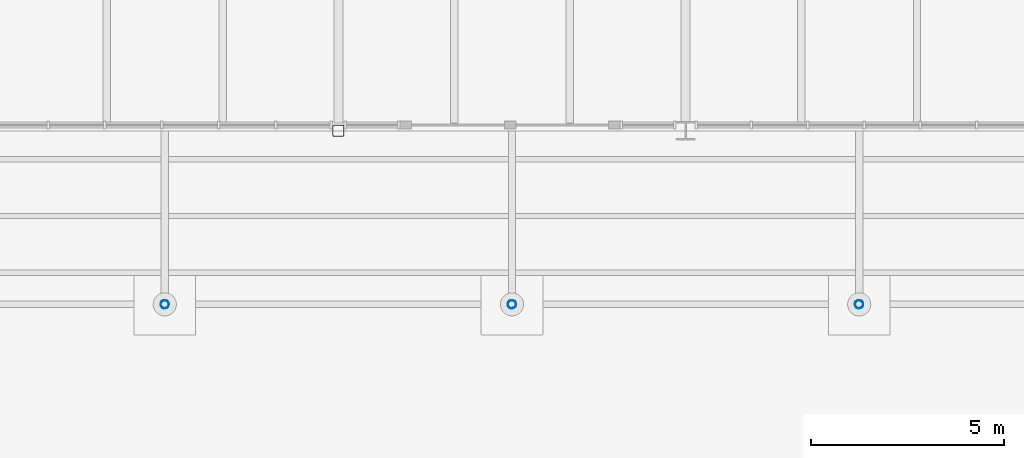
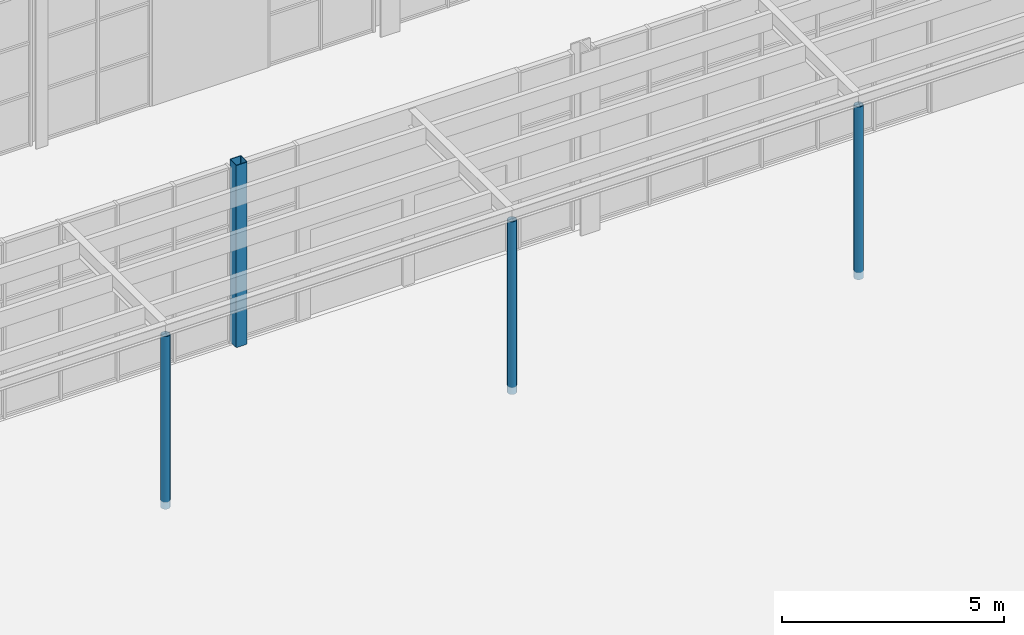
# One storey, part 4 of 63: 4 columns.
"""IFC4 building model written with IfcOpenShell, lengths in metres."""

from ifc_helpers import new_model, si_unit, direction, frame, origin, origin_2d, place, context, subcontext, project, spatial, hollow_rectangle, hollow_circle, extrude, material, material_profile, profile_set, type_object, element, save


model = new_model("IFC4")

# Units and contexts
model_context = context("Model", 3, precision=1e-05, world=origin(), true_north=direction((0.0, 1.0)))
body_context = subcontext(model_context, "Body", "Model", "MODEL_VIEW")
ifc_project = project(units=[si_unit("LENGTHUNIT", "METRE"), si_unit("AREAUNIT", "SQUARE_METRE"), si_unit("VOLUMEUNIT", "CUBIC_METRE"), si_unit("PLANEANGLEUNIT", "RADIAN"), si_unit("MASSUNIT", "GRAM", prefix="KILO")], contexts=[model_context])

# Site, building, storey
site_placement = place(None, origin())
site = spatial("IfcSite", under=ifc_project, at=site_placement, CompositionType="ELEMENT")
building_placement = place(site_placement, origin())
building = spatial("IfcBuilding", under=site, at=building_placement, Name="Halyard Row Museum", CompositionType="ELEMENT")
storey_placement = place(building_placement, origin())
storey = spatial("IfcBuildingStorey", under=building, at=storey_placement, Name="L00", CompositionType="ELEMENT", Elevation=0.0)

# Columns
ifc_material_1 = material(Name="Steel Grade C350L0", Category="steel")
ifc_material_profile_1 = material_profile(ifc_material_1, hollow_circle(Radius=0.109619140625, WallThickness=0.00830078125, at=origin_2d()), Name="219.1x8.2CHS")
ifc_profile_set_1 = profile_set([ifc_material_profile_1], Name="Steel Grade C350L0")
column_type_1 = type_object("IfcColumnType", Name="Canopy column 219.1x8.2CHS", PredefinedType="COLUMN", material=ifc_profile_set_1)
for number, where, z_axis, x_axis, name in (
    (1, (40.5, 13.5, -0.199951171875), (0.0, 0.0, 1.0), (1.0, 0.0, 0.0), "Canopy column 40.5"),
    (2, (49.5, 13.5, -0.199951171875), (0.0, 0.0, 1.0), (1.0, 0.0, 0.0), "Canopy column 49.5"),
    (3, (58.5, 13.5, -0.199951171875), (0.0, 0.0, 1.0), (1.0, 0.0, 0.0), "Canopy column 58.5"),
):
    element("IfcColumn", number, at=place(storey_placement, frame(where, z_axis=z_axis, x_axis=x_axis)), inside=storey, type_object=column_type_1, Name=name, PredefinedType="COLUMN", context=body_context, shape_type="SweptSolid", body=[
        extrude(hollow_circle(Radius=0.109619140625, WallThickness=0.00830078125, at=origin_2d()), origin(), (0.0, 0.0, 1.0), 4.74267578125),
    ])
ifc_material_2 = material(Name="Steel Grade C350L0", Category="steel")
ifc_material_profile_2 = material_profile(ifc_material_2, hollow_rectangle(XDim=0.300048828125, YDim=0.300048828125, WallThickness=0.01611328125, InnerFilletRadius=0.02392578125, OuterFilletRadius=0.0400390625, at=origin_2d()), Name="300x300x16.0SHS")
ifc_profile_set_2 = profile_set([ifc_material_profile_2], Name="Steel Grade C350L0")
column_type_2 = type_object("IfcColumnType", Name="Column 300x300x16.0SHS edge", PredefinedType="COLUMN", material=ifc_profile_set_2)
column_placement = place(storey_placement, frame((45.0, 18.0, 0.0), z_axis=(0.0, 0.0, 1.0), x_axis=(1.0, 0.0, 0.0)))
element("IfcColumn", 4, at=column_placement, inside=storey, type_object=column_type_2, Name="Column 6C L00", PredefinedType="COLUMN", context=body_context, shape_type="SweptSolid", body=[
    extrude(hollow_rectangle(XDim=0.300048828125, YDim=0.300048828125, WallThickness=0.01611328125, InnerFilletRadius=0.02392578125, OuterFilletRadius=0.0400390625, at=origin_2d()), origin(), (0.0, 0.0, 1.0), 5.0),
])

save(model, "model.ifc")
